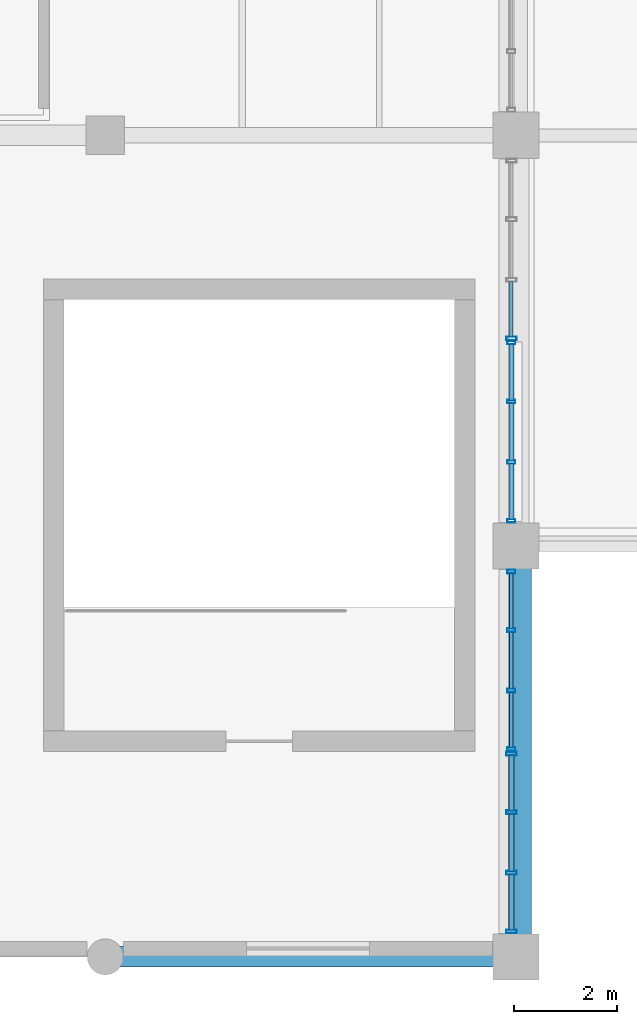
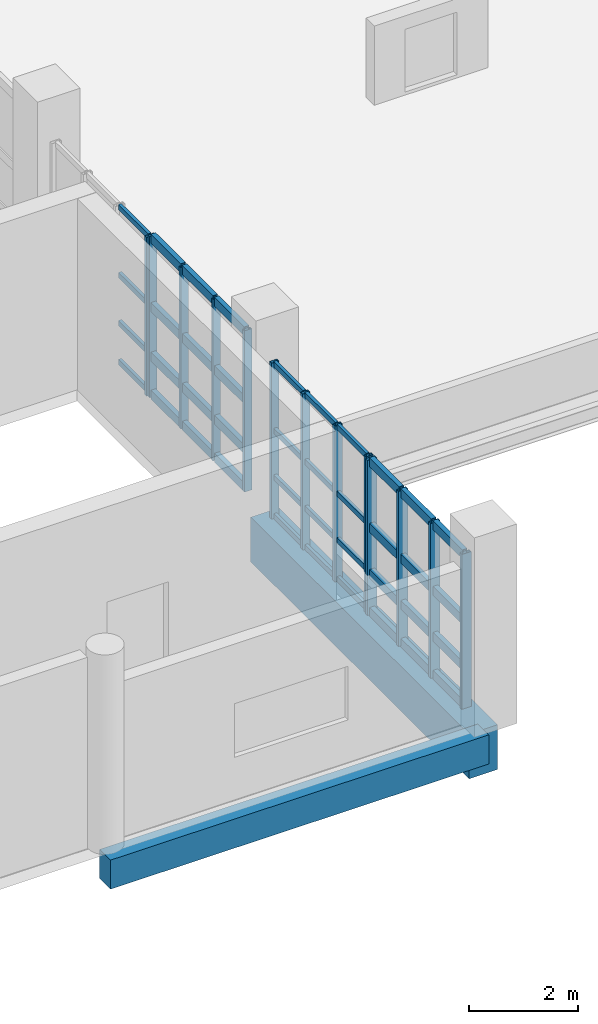
# One storey, part 10 of 85: 53 members, 2 beams, 4 elements without a shape of their own.
"""IFC4 building model written with IfcOpenShell, lengths in metres."""

from ifc_helpers import new_model, si_unit, derived_unit, direction, frame, origin, origin_2d, place, context, subcontext, project, spatial, rectangle, hollow_rectangle, extrude, material, layer, layer_set, material_profile, profile_set, type_object, element, aggregate, save


model = new_model("IFC4")

# Units and contexts
model_context = context("Model", 3, precision=1e-05, world=origin(), true_north=direction((0.0, 1.0)))
body_context = subcontext(model_context, "Body", "Model", "MODEL_VIEW")
ifc_project = project(units=[si_unit("LENGTHUNIT", "METRE"), si_unit("AREAUNIT", "SQUARE_METRE"), si_unit("VOLUMEUNIT", "CUBIC_METRE"), si_unit("PLANEANGLEUNIT", "RADIAN"), si_unit("MASSUNIT", "GRAM", prefix="KILO"), derived_unit("THERMALTRANSMITTANCEUNIT", [(si_unit("POWERUNIT", "WATT"), 1), (si_unit("LENGTHUNIT", "METRE"), -2), (si_unit("THERMODYNAMICTEMPERATUREUNIT", "KELVIN"), -1)])], contexts=[model_context])

# Site, building, storey
site_placement = place(None, origin())
site = spatial("IfcSite", under=ifc_project, at=site_placement, CompositionType="ELEMENT")
building_placement = place(site_placement, origin())
building = spatial("IfcBuilding", under=site, at=building_placement, Name="Nallur Shell Playhouse", CompositionType="ELEMENT")
storey_placement = place(building_placement, frame((0.0, 0.0, 19.800048828125)))
storey = spatial("IfcBuildingStorey", under=building, at=storey_placement, Name="L05", CompositionType="ELEMENT", Elevation=19.800048828125)

# Beams
ifc_material_1 = material(Name="Concrete M35", Category="concrete")
ifc_material_profile_1 = material_profile(ifc_material_1, rectangle(XDim=0.39990234375, YDim=0.64990234375, at=origin_2d()), Name="RC 400x650")
ifc_profile_set_1 = profile_set([ifc_material_profile_1], Name="Concrete M35")
beam_type_1 = type_object("IfcBeamType", Name="BM-RC-400x650", PredefinedType="BEAM", material=ifc_profile_set_1)
beam_1_placement = place(storey_placement, frame((32.0, 8.0, -0.574951171875), z_axis=(1.0, 0.0, 0.0), x_axis=(0.0, 1.0, 0.0)))
element("IfcBeam", 1, at=beam_1_placement, inside=storey, type_object=beam_type_1, Name="L05 girder X-A-927", PredefinedType="BEAM", context=body_context, shape_type="SweptSolid", body=[
    extrude(rectangle(XDim=0.39990234375, YDim=0.64990234375, at=origin_2d()), origin(), (0.0, 0.0, 1.0), 8.0),
])
ifc_material_2 = material(Name="Concrete M40", Category="concrete")
ifc_material_profile_2 = material_profile(ifc_material_2, rectangle(XDim=0.60009765625, YDim=1.0, at=origin_2d()), Name="RC 600x1000")
ifc_profile_set_2 = profile_set([ifc_material_profile_2], Name="Concrete M40")
beam_type_2 = type_object("IfcBeamType", Name="BM-RC-600x1000", PredefinedType="BEAM", material=ifc_profile_set_2)
beam_2_placement = place(storey_placement, frame((40.0, 8.0, -0.75), z_axis=(0.0, 1.0, 0.0), x_axis=(-1.0, 0.0, 0.0)))
element("IfcBeam", 2, at=beam_2_placement, inside=storey, type_object=beam_type_2, Name="L05 girder Y-5-1004", PredefinedType="BEAM", context=body_context, shape_type="SweptSolid", body=[
    extrude(rectangle(XDim=0.60009765625, YDim=1.0, at=origin_2d()), origin(), (0.0, 0.0, 1.0), 8.0),
])

# Curtain wall, members
ifc_material_3 = material(Name="Anodised Aluminium Double-Glazed Facade System", Category="aluminium")
ifc_layer_1 = layer(ifc_material_3, 0.1640625)
ifc_layer_set_1 = layer_set([ifc_layer_1], Name="Anodised Aluminium Double-Glazed Facade System")
curtain_wall_type_1 = type_object("IfcCurtainWallType", Name="CW-UNIT-25", PredefinedType="NOTDEFINED", material=ifc_layer_set_1)
curtain_wall_1_placement = place(storey_placement, origin())
curtain_wall_1 = element("IfcCurtainWall", 3, at=curtain_wall_1_placement, inside=storey, type_object=curtain_wall_type_1, Name="Unitised curtain wall CW-185 (L05)", PredefinedType="NOTDEFINED")
ifc_material_4 = material(Name="Aluminium Alloy 6063-T6 Mullion", Category="aluminium")
ifc_material_profile_3 = material_profile(ifc_material_4, hollow_rectangle(XDim=0.080078125, YDim=0.159912109375, WallThickness=0.006103515625, at=origin_2d()), Name="RHS 160x80x6")
ifc_profile_set_3 = profile_set([ifc_material_profile_3], Name="Aluminium Alloy 6063-T6 Mullion")
member_type_1 = type_object("IfcMemberType", Name="MB-CW-MUL150", PredefinedType="MULLION", material=ifc_profile_set_3)
member_1_placement = place(storey_placement, frame((39.909912109375, 15.501953125, -0.01513671875), z_axis=(0.0, 0.0, 1.0), x_axis=(0.0, -1.0, 0.0)))
member_1 = element("IfcMember", 4, at=member_1_placement, type_object=member_type_1, Name="CW-25 mullion 1", PredefinedType="MULLION", context=body_context, shape_type="SweptSolid", body=[
    extrude(hollow_rectangle(XDim=0.080078125, YDim=0.159912109375, WallThickness=0.006103515625, at=origin_2d()), origin(), (0.0, 0.0, 1.0), 3.484130859375),
])
member_2_placement = place(storey_placement, frame((39.909912109375, 14.363037109375, -0.01513671875), z_axis=(0.0, 0.0, 1.0), x_axis=(0.0, -1.0, 0.0)))
member_2 = element("IfcMember", 5, at=member_2_placement, type_object=member_type_1, Name="CW-25 mullion 2", PredefinedType="MULLION", context=body_context, shape_type="SweptSolid", body=[
    extrude(hollow_rectangle(XDim=0.080078125, YDim=0.159912109375, WallThickness=0.006103515625, at=origin_2d()), origin(), (0.0, 0.0, 1.0), 3.484130859375),
])
member_3_placement = place(storey_placement, frame((39.909912109375, 13.18408203125, -0.01513671875), z_axis=(0.0, 0.0, 1.0), x_axis=(0.0, -1.0, 0.0)))
member_3 = element("IfcMember", 6, at=member_3_placement, type_object=member_type_1, Name="CW-25 mullion 3", PredefinedType="MULLION", context=body_context, shape_type="SweptSolid", body=[
    extrude(hollow_rectangle(XDim=0.080078125, YDim=0.159912109375, WallThickness=0.006103515625, at=origin_2d()), origin(), (0.0, 0.0, 1.0), 3.484130859375),
])
member_4_placement = place(storey_placement, frame((39.909912109375, 12.044921875, -0.01513671875), z_axis=(0.0, 0.0, 1.0), x_axis=(0.0, -1.0, 0.0)))
member_4 = element("IfcMember", 7, at=member_4_placement, type_object=member_type_1, Name="CW-25 mullion 4", PredefinedType="MULLION", context=body_context, shape_type="SweptSolid", body=[
    extrude(hollow_rectangle(XDim=0.080078125, YDim=0.159912109375, WallThickness=0.006103515625, at=origin_2d()), origin(), (0.0, 0.0, 1.0), 3.484130859375),
])

ifc_layer_2 = layer(ifc_material_3, 0.159912109375)
ifc_layer_set_2 = layer_set([ifc_layer_2], Name="Anodised Aluminium Double-Glazed Facade System")
curtain_wall_type_2 = type_object("IfcCurtainWallType", Name="CW-UNIT-24", PredefinedType="NOTDEFINED", material=ifc_layer_set_2)
curtain_wall_2_placement = place(storey_placement, origin())
curtain_wall_2 = element("IfcCurtainWall", 8, at=curtain_wall_2_placement, inside=storey, type_object=curtain_wall_type_2, Name="Unitised curtain wall CW-184 (L05)", PredefinedType="NOTDEFINED")
ifc_material_profile_4 = material_profile(ifc_material_4, hollow_rectangle(XDim=0.06494140625, YDim=0.159912109375, WallThickness=0.00390625, at=origin_2d()), Name="ALU 65x160x4")
ifc_profile_set_4 = profile_set([ifc_material_profile_4], Name="Aluminium Alloy 6063-T6 Mullion")
member_type_2 = type_object("IfcMemberType", Name="MB-CW-MUL160", PredefinedType="MULLION", material=ifc_profile_set_4)
member_5_placement = place(storey_placement, frame((39.909912109375, 19.96240234375, -0.01513671875), z_axis=(0.0, 0.0, 1.0), x_axis=(0.0, -1.0, 0.0)))
member_5 = element("IfcMember", 9, at=member_5_placement, type_object=member_type_2, Name="CW-24 mullion 1", PredefinedType="MULLION", context=body_context, shape_type="SweptSolid", body=[
    extrude(hollow_rectangle(XDim=0.06494140625, YDim=0.159912109375, WallThickness=0.00390625, at=origin_2d()), origin(), (0.0, 0.0, 1.0), 3.60400390625),
])
member_6_placement = place(storey_placement, frame((39.909912109375, 18.81591796875, -0.01513671875), z_axis=(0.0, 0.0, 1.0), x_axis=(0.0, -1.0, 0.0)))
member_6 = element("IfcMember", 10, at=member_6_placement, type_object=member_type_2, Name="CW-24 mullion 2", PredefinedType="MULLION", context=body_context, shape_type="SweptSolid", body=[
    extrude(hollow_rectangle(XDim=0.06494140625, YDim=0.159912109375, WallThickness=0.00390625, at=origin_2d()), origin(), (0.0, 0.0, 1.0), 3.60400390625),
])
member_7_placement = place(storey_placement, frame((39.909912109375, 17.636962890625, -0.01513671875), z_axis=(0.0, 0.0, 1.0), x_axis=(0.0, -1.0, 0.0)))
member_7 = element("IfcMember", 11, at=member_7_placement, type_object=member_type_2, Name="CW-24 mullion 3", PredefinedType="MULLION", context=body_context, shape_type="SweptSolid", body=[
    extrude(hollow_rectangle(XDim=0.06494140625, YDim=0.159912109375, WallThickness=0.00390625, at=origin_2d()), origin(), (0.0, 0.0, 1.0), 3.60400390625),
])
member_8_placement = place(storey_placement, frame((39.909912109375, 16.490478515625, -0.01513671875), z_axis=(0.0, 0.0, 1.0), x_axis=(0.0, -1.0, 0.0)))
member_8 = element("IfcMember", 12, at=member_8_placement, type_object=member_type_2, Name="CW-24 mullion 4", PredefinedType="MULLION", context=body_context, shape_type="SweptSolid", body=[
    extrude(hollow_rectangle(XDim=0.06494140625, YDim=0.159912109375, WallThickness=0.00390625, at=origin_2d()), origin(), (0.0, 0.0, 1.0), 3.60400390625),
])

# Curtain wall, member
ifc_layer_3 = layer(ifc_material_3, 0.179931640625)
ifc_layer_set_3 = layer_set([ifc_layer_3], Name="Anodised Aluminium Double-Glazed Facade System")
curtain_wall_type_3 = type_object("IfcCurtainWallType", Name="CW-UNIT-23", PredefinedType="NOTDEFINED", material=ifc_layer_set_3)
curtain_wall_3_placement = place(storey_placement, origin())
curtain_wall_3 = element("IfcCurtainWall", 13, at=curtain_wall_3_placement, inside=storey, type_object=curtain_wall_type_3, Name="Unitised curtain wall CW-183 (L05)", PredefinedType="NOTDEFINED")
ifc_material_profile_5 = material_profile(ifc_material_4, hollow_rectangle(XDim=0.074951171875, YDim=0.199951171875, WallThickness=0.0048828125, at=origin_2d()), Name="ALU 75x200x5")
ifc_profile_set_5 = profile_set([ifc_material_profile_5], Name="Aluminium Alloy 6063-T6 Mullion")
member_type_3 = type_object("IfcMemberType", Name="MB-CW-MUL180", PredefinedType="MULLION", material=ifc_profile_set_5)
member_9_placement = place(storey_placement, frame((39.909912109375, 20.04248046875, -0.01513671875), z_axis=(0.0, 0.0, 1.0), x_axis=(0.0, -1.0, 0.0)))
member_9 = element("IfcMember", 14, at=member_9_placement, type_object=member_type_3, Name="CW-23 mullion 4", PredefinedType="MULLION", context=body_context, shape_type="SweptSolid", body=[
    extrude(hollow_rectangle(XDim=0.074951171875, YDim=0.199951171875, WallThickness=0.0048828125, at=origin_2d()), origin(), (0.0, 0.0, 1.0), 3.544189453125),
])

# Curtain wall, members
ifc_layer_4 = layer(ifc_material_3, 0.16796875)
ifc_layer_set_4 = layer_set([ifc_layer_4], Name="Anodised Aluminium Double-Glazed Facade System")
curtain_wall_type_4 = type_object("IfcCurtainWallType", Name="CW-UNIT-26", PredefinedType="NOTDEFINED", material=ifc_layer_set_4)
curtain_wall_4_placement = place(storey_placement, origin())
curtain_wall_4 = element("IfcCurtainWall", 15, at=curtain_wall_4_placement, inside=storey, type_object=curtain_wall_type_4, Name="Unitised curtain wall CW-186 (L05)", PredefinedType="NOTDEFINED")
member_10_placement = place(storey_placement, frame((39.909912109375, 11.95751953125, -0.01513671875), z_axis=(0.0, 0.0, 1.0), x_axis=(0.0, -1.0, 0.0)))
member_10 = element("IfcMember", 16, at=member_10_placement, type_object=member_type_3, Name="CW-26 mullion 1", PredefinedType="MULLION", context=body_context, shape_type="SweptSolid", body=[
    extrude(hollow_rectangle(XDim=0.074951171875, YDim=0.199951171875, WallThickness=0.0048828125, at=origin_2d()), origin(), (0.0, 0.0, 1.0), 3.464111328125),
])
member_11_placement = place(storey_placement, frame((39.909912109375, 10.81591796875, -0.01513671875), z_axis=(0.0, 0.0, 1.0), x_axis=(0.0, -1.0, 0.0)))
member_11 = element("IfcMember", 17, at=member_11_placement, type_object=member_type_3, Name="CW-26 mullion 2", PredefinedType="MULLION", context=body_context, shape_type="SweptSolid", body=[
    extrude(hollow_rectangle(XDim=0.074951171875, YDim=0.199951171875, WallThickness=0.0048828125, at=origin_2d()), origin(), (0.0, 0.0, 1.0), 3.464111328125),
])
member_12_placement = place(storey_placement, frame((39.909912109375, 9.636962890625, -0.01513671875), z_axis=(0.0, 0.0, 1.0), x_axis=(0.0, -1.0, 0.0)))
member_12 = element("IfcMember", 18, at=member_12_placement, type_object=member_type_3, Name="CW-26 mullion 3", PredefinedType="MULLION", context=body_context, shape_type="SweptSolid", body=[
    extrude(hollow_rectangle(XDim=0.074951171875, YDim=0.199951171875, WallThickness=0.0048828125, at=origin_2d()), origin(), (0.0, 0.0, 1.0), 3.464111328125),
])
member_13_placement = place(storey_placement, frame((39.909912109375, 8.49560546875, -0.01513671875), z_axis=(0.0, 0.0, 1.0), x_axis=(0.0, -1.0, 0.0)))
member_13 = element("IfcMember", 19, at=member_13_placement, type_object=member_type_3, Name="CW-26 mullion 4", PredefinedType="MULLION", context=body_context, shape_type="SweptSolid", body=[
    extrude(hollow_rectangle(XDim=0.074951171875, YDim=0.199951171875, WallThickness=0.0048828125, at=origin_2d()), origin(), (0.0, 0.0, 1.0), 3.464111328125),
])

# Member
ifc_material_5 = material(Name="Aluminium Alloy 6063-T6 Transom", Category="aluminium")
ifc_material_profile_6 = material_profile(ifc_material_5, hollow_rectangle(XDim=0.06494140625, YDim=0.1201171875, WallThickness=0.00390625, at=origin_2d()), Name="ALU 65x120x4")
ifc_profile_set_6 = profile_set([ifc_material_profile_6], Name="Aluminium Alloy 6063-T6 Transom")
member_type_4 = type_object("IfcMemberType", Name="MB-CW-TRN120", PredefinedType="USERDEFINED", material=ifc_profile_set_6)
member_14_placement = place(storey_placement, frame((39.909912109375, 21.154541015625, 0.032470703125), z_axis=(0.0, -1.0, 0.0), x_axis=(1.0, 0.0, 0.0)))
member_14 = element("IfcMember", 20, at=member_14_placement, type_object=member_type_4, Name="CW-23 transom 3.1", ObjectType="TRANSOM", PredefinedType="USERDEFINED", context=body_context, shape_type="SweptSolid", body=[
    extrude(hollow_rectangle(XDim=0.06494140625, YDim=0.1201171875, WallThickness=0.00390625, at=origin_2d()), origin(), (0.0, 0.0, 1.0), 1.08251953125),
])

member_15_placement = place(storey_placement, frame((39.909912109375, 21.154541015625, 0.89990234375), z_axis=(0.0, -1.0, 0.0), x_axis=(1.0, 0.0, 0.0)))
member_15 = element("IfcMember", 21, at=member_15_placement, type_object=member_type_4, Name="CW-23 transom 3.2", ObjectType="TRANSOM", PredefinedType="USERDEFINED", context=body_context, shape_type="SweptSolid", body=[
    extrude(hollow_rectangle(XDim=0.06494140625, YDim=0.1201171875, WallThickness=0.00390625, at=origin_2d()), origin(), (0.0, 0.0, 1.0), 1.08251953125),
])

member_16_placement = place(storey_placement, frame((39.909912109375, 21.154541015625, 1.973876953125), z_axis=(0.0, -1.0, 0.0), x_axis=(1.0, 0.0, 0.0)))
member_16 = element("IfcMember", 22, at=member_16_placement, type_object=member_type_4, Name="CW-23 transom 3.3", ObjectType="TRANSOM", PredefinedType="USERDEFINED", context=body_context, shape_type="SweptSolid", body=[
    extrude(hollow_rectangle(XDim=0.06494140625, YDim=0.1201171875, WallThickness=0.00390625, at=origin_2d()), origin(), (0.0, 0.0, 1.0), 1.08251953125),
])

member_17_placement = place(storey_placement, frame((39.909912109375, 21.154541015625, 3.492431640625), z_axis=(0.0, -1.0, 0.0), x_axis=(1.0, 0.0, 0.0)))
member_17 = element("IfcMember", 23, at=member_17_placement, type_object=member_type_4, Name="CW-23 transom 3.4", ObjectType="TRANSOM", PredefinedType="USERDEFINED", context=body_context, shape_type="SweptSolid", body=[
    extrude(hollow_rectangle(XDim=0.06494140625, YDim=0.1201171875, WallThickness=0.00390625, at=origin_2d()), origin(), (0.0, 0.0, 1.0), 1.08251953125),
])

aggregate(curtain_wall_3, [member_9, member_14, member_15, member_16, member_17])

member_18_placement = place(storey_placement, frame((39.909912109375, 15.469970703125, 0.032470703125), z_axis=(0.0, -1.0, 0.0), x_axis=(1.0, 0.0, 0.0)))
member_18 = element("IfcMember", 24, at=member_18_placement, type_object=member_type_4, Name="CW-25 transom 1.1", ObjectType="TRANSOM", PredefinedType="USERDEFINED", context=body_context, shape_type="SweptSolid", body=[
    extrude(hollow_rectangle(XDim=0.06494140625, YDim=0.1201171875, WallThickness=0.00390625, at=origin_2d()), origin(), (0.0, 0.0, 1.0), 1.074951171875),
])

member_19_placement = place(storey_placement, frame((39.909912109375, 15.469970703125, 0.89990234375), z_axis=(0.0, -1.0, 0.0), x_axis=(1.0, 0.0, 0.0)))
member_19 = element("IfcMember", 25, at=member_19_placement, type_object=member_type_4, Name="CW-25 transom 1.2", ObjectType="TRANSOM", PredefinedType="USERDEFINED", context=body_context, shape_type="SweptSolid", body=[
    extrude(hollow_rectangle(XDim=0.06494140625, YDim=0.1201171875, WallThickness=0.00390625, at=origin_2d()), origin(), (0.0, 0.0, 1.0), 1.074951171875),
])

member_20_placement = place(storey_placement, frame((39.909912109375, 15.469970703125, 1.93994140625), z_axis=(0.0, -1.0, 0.0), x_axis=(1.0, 0.0, 0.0)))
member_20 = element("IfcMember", 26, at=member_20_placement, type_object=member_type_4, Name="CW-25 transom 1.3", ObjectType="TRANSOM", PredefinedType="USERDEFINED", context=body_context, shape_type="SweptSolid", body=[
    extrude(hollow_rectangle(XDim=0.06494140625, YDim=0.1201171875, WallThickness=0.00390625, at=origin_2d()), origin(), (0.0, 0.0, 1.0), 1.074951171875),
])

member_21_placement = place(storey_placement, frame((39.909912109375, 15.469970703125, 3.432373046875), z_axis=(0.0, -1.0, 0.0), x_axis=(1.0, 0.0, 0.0)))
member_21 = element("IfcMember", 27, at=member_21_placement, type_object=member_type_4, Name="CW-25 transom 1.4", ObjectType="TRANSOM", PredefinedType="USERDEFINED", context=body_context, shape_type="SweptSolid", body=[
    extrude(hollow_rectangle(XDim=0.06494140625, YDim=0.1201171875, WallThickness=0.00390625, at=origin_2d()), origin(), (0.0, 0.0, 1.0), 1.074951171875),
])

member_22_placement = place(storey_placement, frame((39.909912109375, 14.3310546875, 0.032470703125), z_axis=(0.0, -1.0, 0.0), x_axis=(1.0, 0.0, 0.0)))
member_22 = element("IfcMember", 28, at=member_22_placement, type_object=member_type_4, Name="CW-25 transom 2.1", ObjectType="TRANSOM", PredefinedType="USERDEFINED", context=body_context, shape_type="SweptSolid", body=[
    extrude(hollow_rectangle(XDim=0.06494140625, YDim=0.1201171875, WallThickness=0.00390625, at=origin_2d()), origin(), (0.0, 0.0, 1.0), 1.114990234375),
])

member_23_placement = place(storey_placement, frame((39.909912109375, 14.3310546875, 0.89990234375), z_axis=(0.0, -1.0, 0.0), x_axis=(1.0, 0.0, 0.0)))
member_23 = element("IfcMember", 29, at=member_23_placement, type_object=member_type_4, Name="CW-25 transom 2.2", ObjectType="TRANSOM", PredefinedType="USERDEFINED", context=body_context, shape_type="SweptSolid", body=[
    extrude(hollow_rectangle(XDim=0.06494140625, YDim=0.1201171875, WallThickness=0.00390625, at=origin_2d()), origin(), (0.0, 0.0, 1.0), 1.114990234375),
])

member_24_placement = place(storey_placement, frame((39.909912109375, 14.3310546875, 1.93994140625), z_axis=(0.0, -1.0, 0.0), x_axis=(1.0, 0.0, 0.0)))
member_24 = element("IfcMember", 30, at=member_24_placement, type_object=member_type_4, Name="CW-25 transom 2.3", ObjectType="TRANSOM", PredefinedType="USERDEFINED", context=body_context, shape_type="SweptSolid", body=[
    extrude(hollow_rectangle(XDim=0.06494140625, YDim=0.1201171875, WallThickness=0.00390625, at=origin_2d()), origin(), (0.0, 0.0, 1.0), 1.114990234375),
])

member_25_placement = place(storey_placement, frame((39.909912109375, 14.3310546875, 3.432373046875), z_axis=(0.0, -1.0, 0.0), x_axis=(1.0, 0.0, 0.0)))
member_25 = element("IfcMember", 31, at=member_25_placement, type_object=member_type_4, Name="CW-25 transom 2.4", ObjectType="TRANSOM", PredefinedType="USERDEFINED", context=body_context, shape_type="SweptSolid", body=[
    extrude(hollow_rectangle(XDim=0.06494140625, YDim=0.1201171875, WallThickness=0.00390625, at=origin_2d()), origin(), (0.0, 0.0, 1.0), 1.114990234375),
])

member_26_placement = place(storey_placement, frame((39.909912109375, 13.152099609375, 0.032470703125), z_axis=(0.0, -1.0, 0.0), x_axis=(1.0, 0.0, 0.0)))
member_26 = element("IfcMember", 32, at=member_26_placement, type_object=member_type_4, Name="CW-25 transom 3.1", ObjectType="TRANSOM", PredefinedType="USERDEFINED", context=body_context, shape_type="SweptSolid", body=[
    extrude(hollow_rectangle(XDim=0.06494140625, YDim=0.1201171875, WallThickness=0.00390625, at=origin_2d()), origin(), (0.0, 0.0, 1.0), 1.0751953125),
])

member_27_placement = place(storey_placement, frame((39.909912109375, 13.152099609375, 0.89990234375), z_axis=(0.0, -1.0, 0.0), x_axis=(1.0, 0.0, 0.0)))
member_27 = element("IfcMember", 33, at=member_27_placement, type_object=member_type_4, Name="CW-25 transom 3.2", ObjectType="TRANSOM", PredefinedType="USERDEFINED", context=body_context, shape_type="SweptSolid", body=[
    extrude(hollow_rectangle(XDim=0.06494140625, YDim=0.1201171875, WallThickness=0.00390625, at=origin_2d()), origin(), (0.0, 0.0, 1.0), 1.0751953125),
])

member_28_placement = place(storey_placement, frame((39.909912109375, 13.152099609375, 1.93994140625), z_axis=(0.0, -1.0, 0.0), x_axis=(1.0, 0.0, 0.0)))
member_28 = element("IfcMember", 34, at=member_28_placement, type_object=member_type_4, Name="CW-25 transom 3.3", ObjectType="TRANSOM", PredefinedType="USERDEFINED", context=body_context, shape_type="SweptSolid", body=[
    extrude(hollow_rectangle(XDim=0.06494140625, YDim=0.1201171875, WallThickness=0.00390625, at=origin_2d()), origin(), (0.0, 0.0, 1.0), 1.0751953125),
])

member_29_placement = place(storey_placement, frame((39.909912109375, 13.152099609375, 3.432373046875), z_axis=(0.0, -1.0, 0.0), x_axis=(1.0, 0.0, 0.0)))
member_29 = element("IfcMember", 35, at=member_29_placement, type_object=member_type_4, Name="CW-25 transom 3.4", ObjectType="TRANSOM", PredefinedType="USERDEFINED", context=body_context, shape_type="SweptSolid", body=[
    extrude(hollow_rectangle(XDim=0.06494140625, YDim=0.1201171875, WallThickness=0.00390625, at=origin_2d()), origin(), (0.0, 0.0, 1.0), 1.0751953125),
])

aggregate(curtain_wall_1, [member_1, member_2, member_3, member_4, member_18, member_19, member_20, member_21, member_22, member_23, member_24, member_25, member_26, member_27, member_28, member_29])

ifc_material_profile_7 = material_profile(ifc_material_5, hollow_rectangle(XDim=0.10009765625, YDim=0.199951171875, WallThickness=0.008056640625, at=origin_2d()), Name="RHS 200x100x8")
ifc_profile_set_7 = profile_set([ifc_material_profile_7], Name="Aluminium Alloy 6063-T6 Transom")
member_type_5 = type_object("IfcMemberType", Name="MB-CW-TRN140", PredefinedType="USERDEFINED", material=ifc_profile_set_7)
member_30_placement = place(storey_placement, frame((39.909912109375, 19.93798828125, 0.050048828125), z_axis=(0.0, -1.0, 0.0), x_axis=(1.0, 0.0, 0.0)))
member_30 = element("IfcMember", 36, at=member_30_placement, type_object=member_type_5, Name="CW-24 transom 1.1", ObjectType="TRANSOM", PredefinedType="USERDEFINED", context=body_context, shape_type="SweptSolid", body=[
    extrude(hollow_rectangle(XDim=0.10009765625, YDim=0.199951171875, WallThickness=0.008056640625, at=origin_2d()), origin(), (0.0, 0.0, 1.0), 1.097412109375),
])

member_31_placement = place(storey_placement, frame((39.909912109375, 19.93798828125, 0.89990234375), z_axis=(0.0, -1.0, 0.0), x_axis=(1.0, 0.0, 0.0)))
member_31 = element("IfcMember", 37, at=member_31_placement, type_object=member_type_5, Name="CW-24 transom 1.2", ObjectType="TRANSOM", PredefinedType="USERDEFINED", context=body_context, shape_type="SweptSolid", body=[
    extrude(hollow_rectangle(XDim=0.10009765625, YDim=0.199951171875, WallThickness=0.008056640625, at=origin_2d()), origin(), (0.0, 0.0, 1.0), 1.097412109375),
])

member_32_placement = place(storey_placement, frame((39.909912109375, 19.93798828125, 2.008056640625), z_axis=(0.0, -1.0, 0.0), x_axis=(1.0, 0.0, 0.0)))
member_32 = element("IfcMember", 38, at=member_32_placement, type_object=member_type_5, Name="CW-24 transom 1.3", ObjectType="TRANSOM", PredefinedType="USERDEFINED", context=body_context, shape_type="SweptSolid", body=[
    extrude(hollow_rectangle(XDim=0.10009765625, YDim=0.199951171875, WallThickness=0.008056640625, at=origin_2d()), origin(), (0.0, 0.0, 1.0), 1.097412109375),
])

member_33_placement = place(storey_placement, frame((39.909912109375, 19.93798828125, 3.534912109375), z_axis=(0.0, -1.0, 0.0), x_axis=(1.0, 0.0, 0.0)))
member_33 = element("IfcMember", 39, at=member_33_placement, type_object=member_type_5, Name="CW-24 transom 1.4", ObjectType="TRANSOM", PredefinedType="USERDEFINED", context=body_context, shape_type="SweptSolid", body=[
    extrude(hollow_rectangle(XDim=0.10009765625, YDim=0.199951171875, WallThickness=0.008056640625, at=origin_2d()), origin(), (0.0, 0.0, 1.0), 1.097412109375),
])

member_34_placement = place(storey_placement, frame((39.909912109375, 18.79150390625, 0.050048828125), z_axis=(0.0, -1.0, 0.0), x_axis=(1.0, 0.0, 0.0)))
member_34 = element("IfcMember", 40, at=member_34_placement, type_object=member_type_5, Name="CW-24 transom 2.1", ObjectType="TRANSOM", PredefinedType="USERDEFINED", context=body_context, shape_type="SweptSolid", body=[
    extrude(hollow_rectangle(XDim=0.10009765625, YDim=0.199951171875, WallThickness=0.008056640625, at=origin_2d()), origin(), (0.0, 0.0, 1.0), 1.1298828125),
])

member_35_placement = place(storey_placement, frame((39.909912109375, 18.79150390625, 0.89990234375), z_axis=(0.0, -1.0, 0.0), x_axis=(1.0, 0.0, 0.0)))
member_35 = element("IfcMember", 41, at=member_35_placement, type_object=member_type_5, Name="CW-24 transom 2.2", ObjectType="TRANSOM", PredefinedType="USERDEFINED", context=body_context, shape_type="SweptSolid", body=[
    extrude(hollow_rectangle(XDim=0.10009765625, YDim=0.199951171875, WallThickness=0.008056640625, at=origin_2d()), origin(), (0.0, 0.0, 1.0), 1.1298828125),
])

member_36_placement = place(storey_placement, frame((39.909912109375, 18.79150390625, 2.008056640625), z_axis=(0.0, -1.0, 0.0), x_axis=(1.0, 0.0, 0.0)))
member_36 = element("IfcMember", 42, at=member_36_placement, type_object=member_type_5, Name="CW-24 transom 2.3", ObjectType="TRANSOM", PredefinedType="USERDEFINED", context=body_context, shape_type="SweptSolid", body=[
    extrude(hollow_rectangle(XDim=0.10009765625, YDim=0.199951171875, WallThickness=0.008056640625, at=origin_2d()), origin(), (0.0, 0.0, 1.0), 1.1298828125),
])

member_37_placement = place(storey_placement, frame((39.909912109375, 18.79150390625, 3.534912109375), z_axis=(0.0, -1.0, 0.0), x_axis=(1.0, 0.0, 0.0)))
member_37 = element("IfcMember", 43, at=member_37_placement, type_object=member_type_5, Name="CW-24 transom 2.4", ObjectType="TRANSOM", PredefinedType="USERDEFINED", context=body_context, shape_type="SweptSolid", body=[
    extrude(hollow_rectangle(XDim=0.10009765625, YDim=0.199951171875, WallThickness=0.008056640625, at=origin_2d()), origin(), (0.0, 0.0, 1.0), 1.1298828125),
])

member_38_placement = place(storey_placement, frame((39.909912109375, 17.612548828125, 0.050048828125), z_axis=(0.0, -1.0, 0.0), x_axis=(1.0, 0.0, 0.0)))
member_38 = element("IfcMember", 44, at=member_38_placement, type_object=member_type_5, Name="CW-24 transom 3.1", ObjectType="TRANSOM", PredefinedType="USERDEFINED", context=body_context, shape_type="SweptSolid", body=[
    extrude(hollow_rectangle(XDim=0.10009765625, YDim=0.199951171875, WallThickness=0.008056640625, at=origin_2d()), origin(), (0.0, 0.0, 1.0), 1.09765625),
])

member_39_placement = place(storey_placement, frame((39.909912109375, 17.612548828125, 0.89990234375), z_axis=(0.0, -1.0, 0.0), x_axis=(1.0, 0.0, 0.0)))
member_39 = element("IfcMember", 45, at=member_39_placement, type_object=member_type_5, Name="CW-24 transom 3.2", ObjectType="TRANSOM", PredefinedType="USERDEFINED", context=body_context, shape_type="SweptSolid", body=[
    extrude(hollow_rectangle(XDim=0.10009765625, YDim=0.199951171875, WallThickness=0.008056640625, at=origin_2d()), origin(), (0.0, 0.0, 1.0), 1.09765625),
])

member_40_placement = place(storey_placement, frame((39.909912109375, 17.612548828125, 2.008056640625), z_axis=(0.0, -1.0, 0.0), x_axis=(1.0, 0.0, 0.0)))
member_40 = element("IfcMember", 46, at=member_40_placement, type_object=member_type_5, Name="CW-24 transom 3.3", ObjectType="TRANSOM", PredefinedType="USERDEFINED", context=body_context, shape_type="SweptSolid", body=[
    extrude(hollow_rectangle(XDim=0.10009765625, YDim=0.199951171875, WallThickness=0.008056640625, at=origin_2d()), origin(), (0.0, 0.0, 1.0), 1.09765625),
])

member_41_placement = place(storey_placement, frame((39.909912109375, 17.612548828125, 3.534912109375), z_axis=(0.0, -1.0, 0.0), x_axis=(1.0, 0.0, 0.0)))
member_41 = element("IfcMember", 47, at=member_41_placement, type_object=member_type_5, Name="CW-24 transom 3.4", ObjectType="TRANSOM", PredefinedType="USERDEFINED", context=body_context, shape_type="SweptSolid", body=[
    extrude(hollow_rectangle(XDim=0.10009765625, YDim=0.199951171875, WallThickness=0.008056640625, at=origin_2d()), origin(), (0.0, 0.0, 1.0), 1.09765625),
])

aggregate(curtain_wall_2, [member_5, member_6, member_7, member_8, member_30, member_31, member_32, member_33, member_34, member_35, member_36, member_37, member_38, member_39, member_40, member_41])

member_42_placement = place(storey_placement, frame((39.909912109375, 11.927978515625, 0.050048828125), z_axis=(0.0, -1.0, 0.0), x_axis=(1.0, 0.0, 0.0)))
member_42 = element("IfcMember", 48, at=member_42_placement, type_object=member_type_5, Name="CW-26 transom 1.1", ObjectType="TRANSOM", PredefinedType="USERDEFINED", context=body_context, shape_type="SweptSolid", body=[
    extrude(hollow_rectangle(XDim=0.10009765625, YDim=0.199951171875, WallThickness=0.008056640625, at=origin_2d()), origin(), (0.0, 0.0, 1.0), 1.08251953125),
])

member_43_placement = place(storey_placement, frame((39.909912109375, 11.927978515625, 0.89990234375), z_axis=(0.0, -1.0, 0.0), x_axis=(1.0, 0.0, 0.0)))
member_43 = element("IfcMember", 49, at=member_43_placement, type_object=member_type_5, Name="CW-26 transom 1.2", ObjectType="TRANSOM", PredefinedType="USERDEFINED", context=body_context, shape_type="SweptSolid", body=[
    extrude(hollow_rectangle(XDim=0.10009765625, YDim=0.199951171875, WallThickness=0.008056640625, at=origin_2d()), origin(), (0.0, 0.0, 1.0), 1.08251953125),
])

member_44_placement = place(storey_placement, frame((39.909912109375, 11.927978515625, 1.928955078125), z_axis=(0.0, -1.0, 0.0), x_axis=(1.0, 0.0, 0.0)))
member_44 = element("IfcMember", 50, at=member_44_placement, type_object=member_type_5, Name="CW-26 transom 1.3", ObjectType="TRANSOM", PredefinedType="USERDEFINED", context=body_context, shape_type="SweptSolid", body=[
    extrude(hollow_rectangle(XDim=0.10009765625, YDim=0.199951171875, WallThickness=0.008056640625, at=origin_2d()), origin(), (0.0, 0.0, 1.0), 1.08251953125),
])

member_45_placement = place(storey_placement, frame((39.909912109375, 11.927978515625, 3.39501953125), z_axis=(0.0, -1.0, 0.0), x_axis=(1.0, 0.0, 0.0)))
member_45 = element("IfcMember", 51, at=member_45_placement, type_object=member_type_5, Name="CW-26 transom 1.4", ObjectType="TRANSOM", PredefinedType="USERDEFINED", context=body_context, shape_type="SweptSolid", body=[
    extrude(hollow_rectangle(XDim=0.10009765625, YDim=0.199951171875, WallThickness=0.008056640625, at=origin_2d()), origin(), (0.0, 0.0, 1.0), 1.08251953125),
])

member_46_placement = place(storey_placement, frame((39.909912109375, 10.78662109375, 0.050048828125), z_axis=(0.0, -1.0, 0.0), x_axis=(1.0, 0.0, 0.0)))
member_46 = element("IfcMember", 52, at=member_46_placement, type_object=member_type_5, Name="CW-26 transom 2.1", ObjectType="TRANSOM", PredefinedType="USERDEFINED", context=body_context, shape_type="SweptSolid", body=[
    extrude(hollow_rectangle(XDim=0.10009765625, YDim=0.199951171875, WallThickness=0.008056640625, at=origin_2d()), origin(), (0.0, 0.0, 1.0), 1.1201171875),
])

member_47_placement = place(storey_placement, frame((39.909912109375, 10.78662109375, 0.89990234375), z_axis=(0.0, -1.0, 0.0), x_axis=(1.0, 0.0, 0.0)))
member_47 = element("IfcMember", 53, at=member_47_placement, type_object=member_type_5, Name="CW-26 transom 2.2", ObjectType="TRANSOM", PredefinedType="USERDEFINED", context=body_context, shape_type="SweptSolid", body=[
    extrude(hollow_rectangle(XDim=0.10009765625, YDim=0.199951171875, WallThickness=0.008056640625, at=origin_2d()), origin(), (0.0, 0.0, 1.0), 1.1201171875),
])

member_48_placement = place(storey_placement, frame((39.909912109375, 10.78662109375, 1.928955078125), z_axis=(0.0, -1.0, 0.0), x_axis=(1.0, 0.0, 0.0)))
member_48 = element("IfcMember", 54, at=member_48_placement, type_object=member_type_5, Name="CW-26 transom 2.3", ObjectType="TRANSOM", PredefinedType="USERDEFINED", context=body_context, shape_type="SweptSolid", body=[
    extrude(hollow_rectangle(XDim=0.10009765625, YDim=0.199951171875, WallThickness=0.008056640625, at=origin_2d()), origin(), (0.0, 0.0, 1.0), 1.1201171875),
])

member_49_placement = place(storey_placement, frame((39.909912109375, 10.78662109375, 3.39501953125), z_axis=(0.0, -1.0, 0.0), x_axis=(1.0, 0.0, 0.0)))
member_49 = element("IfcMember", 55, at=member_49_placement, type_object=member_type_5, Name="CW-26 transom 2.4", ObjectType="TRANSOM", PredefinedType="USERDEFINED", context=body_context, shape_type="SweptSolid", body=[
    extrude(hollow_rectangle(XDim=0.10009765625, YDim=0.199951171875, WallThickness=0.008056640625, at=origin_2d()), origin(), (0.0, 0.0, 1.0), 1.1201171875),
])

member_50_placement = place(storey_placement, frame((39.909912109375, 9.607421875, 0.050048828125), z_axis=(0.0, -1.0, 0.0), x_axis=(1.0, 0.0, 0.0)))
member_50 = element("IfcMember", 56, at=member_50_placement, type_object=member_type_5, Name="CW-26 transom 3.1", ObjectType="TRANSOM", PredefinedType="USERDEFINED", context=body_context, shape_type="SweptSolid", body=[
    extrude(hollow_rectangle(XDim=0.10009765625, YDim=0.199951171875, WallThickness=0.008056640625, at=origin_2d()), origin(), (0.0, 0.0, 1.0), 1.08251953125),
])

member_51_placement = place(storey_placement, frame((39.909912109375, 9.607421875, 0.89990234375), z_axis=(0.0, -1.0, 0.0), x_axis=(1.0, 0.0, 0.0)))
member_51 = element("IfcMember", 57, at=member_51_placement, type_object=member_type_5, Name="CW-26 transom 3.2", ObjectType="TRANSOM", PredefinedType="USERDEFINED", context=body_context, shape_type="SweptSolid", body=[
    extrude(hollow_rectangle(XDim=0.10009765625, YDim=0.199951171875, WallThickness=0.008056640625, at=origin_2d()), origin(), (0.0, 0.0, 1.0), 1.08251953125),
])

member_52_placement = place(storey_placement, frame((39.909912109375, 9.607421875, 1.928955078125), z_axis=(0.0, -1.0, 0.0), x_axis=(1.0, 0.0, 0.0)))
member_52 = element("IfcMember", 58, at=member_52_placement, type_object=member_type_5, Name="CW-26 transom 3.3", ObjectType="TRANSOM", PredefinedType="USERDEFINED", context=body_context, shape_type="SweptSolid", body=[
    extrude(hollow_rectangle(XDim=0.10009765625, YDim=0.199951171875, WallThickness=0.008056640625, at=origin_2d()), origin(), (0.0, 0.0, 1.0), 1.08251953125),
])

member_53_placement = place(storey_placement, frame((39.909912109375, 9.607421875, 3.39501953125), z_axis=(0.0, -1.0, 0.0), x_axis=(1.0, 0.0, 0.0)))
member_53 = element("IfcMember", 59, at=member_53_placement, type_object=member_type_5, Name="CW-26 transom 3.4", ObjectType="TRANSOM", PredefinedType="USERDEFINED", context=body_context, shape_type="SweptSolid", body=[
    extrude(hollow_rectangle(XDim=0.10009765625, YDim=0.199951171875, WallThickness=0.008056640625, at=origin_2d()), origin(), (0.0, 0.0, 1.0), 1.08251953125),
])

aggregate(curtain_wall_4, [member_10, member_11, member_12, member_13, member_42, member_43, member_44, member_45, member_46, member_47, member_48, member_49, member_50, member_51, member_52, member_53])

save(model, "model.ifc")
